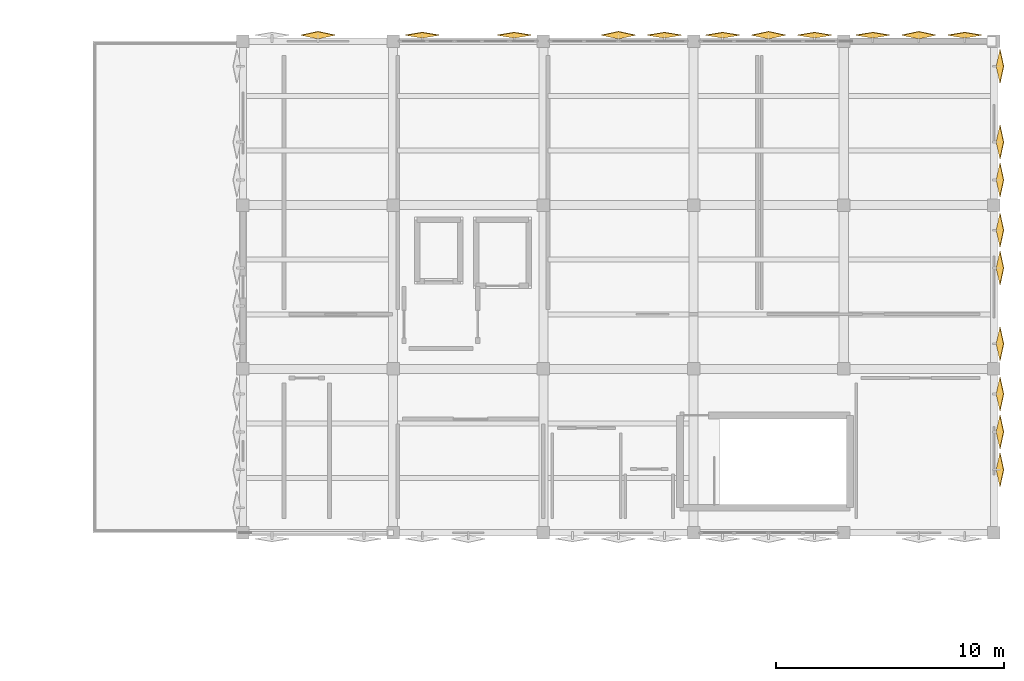
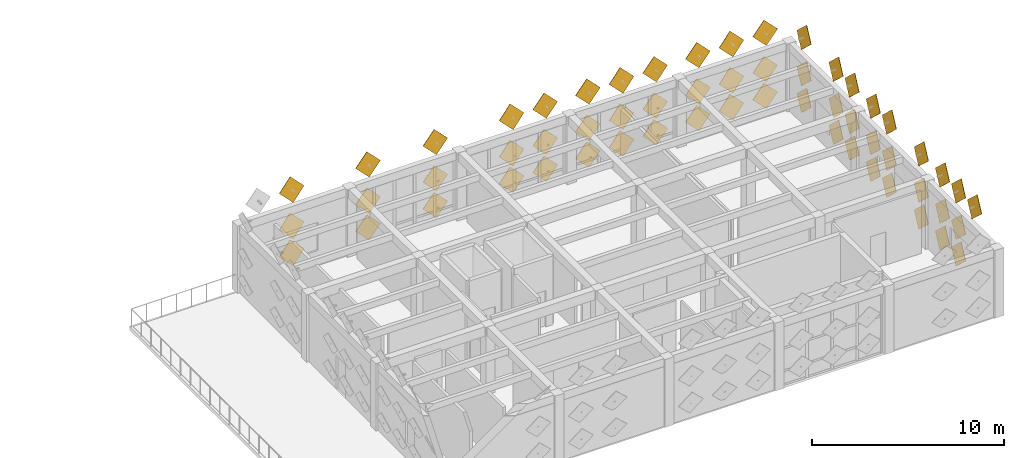
# One storey, part 29 of 29: 58 coverings.
"""IFC4 building model written with IfcOpenShell, lengths in metres."""

import ifcopenshell
import ifcopenshell.guid

model = None  # the IFC model being written
_history = None  # IfcOwnerHistory: only IFC2X3 demands one
_inside = {}  # id of a spatial element -> (the spatial element, [elements in it])
_under = {}  # id of a project, library or spatial element -> (it, [spatial elements below it])
_declared = {}  # id of a project -> (the project, [libraries it declares])
_typed = {}  # id of a type object -> (the type object, [elements of that type])
_made_of = {}  # id of a material, layer set ... -> (it, [elements and type objects made of it])


def new_model(schema):
    """Start an empty IFC model of exactly this schema.

    Asked for "IFC4X3", IfcOpenShell would pick the latest addendum, in which some entities
    have other attributes; the version numbers below select the first issue.
    IFC2X3 requires an IfcOwnerHistory on every rooted entity: one is made here for all.
    """
    global model, _history
    if schema == "IFC4X3":
        model = ifcopenshell.file(schema_version=(4, 3, 0, 0))
    else:
        model = ifcopenshell.file(schema=schema)
    _inside.clear()
    _under.clear()
    _declared.clear()
    _typed.clear()
    _made_of.clear()
    _history = None
    if model.schema == "IFC2X3":
        org = make("IfcOrganization", Name="unknown")
        user = make(
            "IfcPersonAndOrganization",
            ThePerson=make("IfcPerson", FamilyName="unknown"),
            TheOrganization=org,
        )
        app = make(
            "IfcApplication",
            ApplicationDeveloper=org,
            Version="unknown",
            ApplicationFullName="unknown",
            ApplicationIdentifier="unknown",
        )
        _history = make(
            "IfcOwnerHistory",
            OwningUser=user,
            OwningApplication=app,
            ChangeAction="ADDED",
            CreationDate=0,
        )
    return model


def make(cls, **values):
    """One entity of the class cls with the attributes given. An attribute that is None is left unset."""
    return model.create_entity(
        cls, **{name: value for name, value in values.items() if value is not None}
    )


def rooted(cls, **values):
    """An entity with a GlobalId (a new one), such as an element, a storey or a relation."""
    return make(cls, GlobalId=ifcopenshell.guid.new(), OwnerHistory=_history, **values)


def si_unit(unit_type, name, prefix=None):
    """IfcSIUnit, for example si_unit("LENGTHUNIT", "METRE", prefix="MILLI")."""
    return make("IfcSIUnit", UnitType=unit_type, Prefix=prefix, Name=name)


def assignment(units):
    """IfcUnitAssignment: the units of a project."""
    return None if units is None else make("IfcUnitAssignment", Units=units)


def point(xyz):
    """IfcCartesianPoint."""
    return None if xyz is None else make("IfcCartesianPoint", Coordinates=xyz)


def direction(xyz):
    """IfcDirection."""
    return None if xyz is None else make("IfcDirection", DirectionRatios=xyz)


def frame(location, z_axis=None, x_axis=None):
    """IfcAxis2Placement3D, a coordinate frame: its origin and axes. An axis left out is left unset."""
    return make(
        "IfcAxis2Placement3D",
        Location=point(location),
        Axis=direction(z_axis),
        RefDirection=direction(x_axis),
    )


def origin():
    """The frame at (0, 0, 0) with its axes left unset."""
    return frame((0.0, 0.0, 0.0))


def place(relative_to, where):
    """IfcLocalPlacement: puts the frame where relative to a parent placement (None: the world)."""
    return make(
        "IfcLocalPlacement", PlacementRelTo=relative_to, RelativePlacement=where
    )


def context(
    kind, dimensions, precision=None, world=None, true_north=None, identifier=None
):
    """IfcGeometricRepresentationContext, for example the 3D "Model" context."""
    return make(
        "IfcGeometricRepresentationContext",
        ContextIdentifier=identifier,
        ContextType=kind,
        CoordinateSpaceDimension=dimensions,
        Precision=precision,
        WorldCoordinateSystem=world,
        TrueNorth=true_north,
    )


def subcontext(parent, identifier, kind, view, scale=None):
    """IfcGeometricRepresentationSubContext, for example "Body" below "Model"."""
    return make(
        "IfcGeometricRepresentationSubContext",
        ContextIdentifier=identifier,
        ContextType=kind,
        ParentContext=parent,
        TargetScale=scale,
        TargetView=view,
    )


def project(units=None, contexts=None):
    """IfcProject with its units and contexts."""
    return rooted(
        "IfcProject",
        Name="project",
        RepresentationContexts=contexts,
        UnitsInContext=assignment(units),
    )


def spatial(cls, under=None, at=None, **own):
    """A site, building, storey or space (cls), placed at a placement, below another one or the project."""
    s = rooted(cls, ObjectPlacement=at, **own)
    if under is not None:
        _under.setdefault(under.id(), (under, []))[1].append(s)
    return s


def polyline(points):
    """IfcPolyline through the points."""
    return make("IfcPolyline", Points=[point(p) for p in points])


def outline(outer, holes=None, kind="AREA"):
    """IfcArbitraryClosedProfileDef: a profile drawn as a closed curve; with holes, ...WithVoids."""
    if holes is None:
        return make("IfcArbitraryClosedProfileDef", ProfileType=kind, OuterCurve=outer)
    return make(
        "IfcArbitraryProfileDefWithVoids",
        ProfileType=kind,
        OuterCurve=outer,
        InnerCurves=holes,
    )


def extrude(swept, where, along, depth):
    """IfcExtrudedAreaSolid: the profile swept, set in the frame where, extruded along a direction by depth."""
    return make(
        "IfcExtrudedAreaSolid",
        SweptArea=swept,
        Position=where,
        ExtrudedDirection=direction(along),
        Depth=depth,
    )


def shape(context_of_items, identifier, shape_type, items):
    """IfcShapeRepresentation: the items that make up one representation, for example the "Body"."""
    return make(
        "IfcShapeRepresentation",
        ContextOfItems=context_of_items,
        RepresentationIdentifier=identifier,
        RepresentationType=shape_type,
        Items=items,
    )


def material(Name=None, Category=None):
    """IfcMaterial."""
    return make("IfcMaterial", Name=Name, Category=Category)


def made_of(thing, what):
    """Note that an element or type object is made of a material, layer set ...; save() writes the relation."""
    if what is not None:
        _made_of.setdefault(what.id(), (what, []))[1].append(thing)
    return thing


def type_object(cls, material=None, **own):
    """A type object (cls), such as IfcWallType, which elements share."""
    return made_of(rooted(cls, **own), material)


def element(
    cls,
    number,
    at=None,
    inside=None,
    cuts=None,
    type_object=None,
    material=None,
    context=None,
    identifier="Body",
    shape_type=None,
    held_by="IfcProductDefinitionShape",
    body=None,
    shapes=None,
    **own,
):
    """One element of the class cls, such as IfcWall. Its Tag is "e" and its number.

    at: its placement. inside: the storey or other place that contains it. cuts: it is an
    opening in that element (IfcRelVoidsElement). A single representation is given by context,
    identifier, shape_type and body (its items); several are given by shapes. held_by: the class
    of the entity that holds the representations. save() writes the other relations.
    """
    e = rooted(cls, Tag="e%d" % number, ObjectPlacement=at, **own)
    if body is not None:
        shapes = [shape(context, identifier, shape_type, body)]
    if shapes is not None:
        e.Representation = make(held_by, Representations=shapes)
    if inside is not None:
        _inside.setdefault(inside.id(), (inside, []))[1].append(e)
    if cuts is not None:
        rooted(
            "IfcRelVoidsElement", RelatingBuildingElement=cuts, RelatedOpeningElement=e
        )
    if type_object is not None:
        _typed.setdefault(type_object.id(), (type_object, []))[1].append(e)
    return made_of(e, material)


def aggregate(whole, parts):
    """IfcRelAggregates: a whole, such as a stair, and the parts it consists of."""
    return rooted("IfcRelAggregates", RelatingObject=whole, RelatedObjects=parts)


def save(model, path):
    """Write the relations noted so far, then the file.

    IfcRelAggregates (storeys below a building ...), IfcRelContainedInSpatialStructure (elements
    in a storey), IfcRelDefinesByType, IfcRelAssociatesMaterial and IfcRelDeclares: one each for
    every whole, place, type object, material and project.
    """
    for whole, parts in _under.values():
        aggregate(whole, parts)
    for where, things in _inside.values():
        rooted(
            "IfcRelContainedInSpatialStructure",
            RelatedElements=things,
            RelatingStructure=where,
        )
    for kind, things in _typed.values():
        rooted("IfcRelDefinesByType", RelatedObjects=things, RelatingType=kind)
    for what, things in _made_of.values():
        rooted("IfcRelAssociatesMaterial", RelatedObjects=things, RelatingMaterial=what)
    for by, libraries in _declared.values():
        rooted("IfcRelDeclares", RelatingContext=by, RelatedDefinitions=libraries)
    model.write(path)


model = new_model("IFC4")

# Units and contexts
model_context = context("Model", 3, precision=1e-05, world=origin(), true_north=direction((0.0, 1.0)))
body_context = subcontext(model_context, "Body", "Model", "MODEL_VIEW")
ifc_project = project(units=[si_unit("LENGTHUNIT", "METRE"), si_unit("AREAUNIT", "SQUARE_METRE"), si_unit("VOLUMEUNIT", "CUBIC_METRE"), si_unit("PLANEANGLEUNIT", "RADIAN"), si_unit("MASSUNIT", "GRAM", prefix="KILO")], contexts=[model_context])

# Site, building, storey
site_placement = place(None, origin())
site = spatial("IfcSite", under=ifc_project, at=site_placement, CompositionType="ELEMENT")
building_placement = place(site_placement, origin())
building = spatial("IfcBuilding", under=site, at=building_placement, Name="Kharisveld Research Institute", CompositionType="ELEMENT")
storey_placement = place(building_placement, frame((0.0, 0.0, 32.10009765625)))
storey = spatial("IfcBuildingStorey", under=building, at=storey_placement, Name="L07", CompositionType="ELEMENT", Elevation=32.10009765625)

# Coverings
ifc_material = material(Name="White Powder-Coated Perforated Aluminium", Category="aluminium")
covering_type = type_object("IfcCoveringType", Name="CV_DIA_105", PredefinedType="CLADDING")
for number, where, z_axis, x_axis, name in (
    (1, (131.10009765625, 60.8994140625, 0.324951171875), (0.0, -0.97631069788, 0.216373337556), (0.707102116981, 0.153000063457, 0.6903604687), "SHD:V2:L07:N2:S1C0"),
    (2, (131.10009765625, 60.8994140625, 2.025146484375), (0.0, -0.97631069788, 0.216373337556), (0.707102116981, 0.153000063457, 0.6903604687), "SHD:V2:L07:N2:S1C1"),
    (3, (131.10009765625, 60.8994140625, 4.324951171875), (0.0, -0.97631069788, 0.216373337556), (0.707102116981, 0.153000063457, 0.6903604687), "SHD:V2:L07:N2:S1C2"),
):
    element("IfcCovering", number, at=place(storey_placement, frame(where, z_axis=z_axis, x_axis=x_axis)), inside=storey, type_object=covering_type, material=ifc_material, Name=name, PredefinedType="CLADDING", context=body_context, shape_type="SweptSolid", body=[
        extrude(outline(polyline([(0.0, 0.0), (1.0499638210603182, 0.0), (1.0499776725217052, 1.0499638209689517), (-0.00015878089139154117, 1.050136455599167), (0.0, 0.0)])), origin(), (0.0, 0.0, -1.0), 0.02392578125),
    ])
covering_1_placement = place(storey_placement, frame((135.679931640625, 60.9375, 0.317626953125), z_axis=(0.0, -0.986282612269, 0.165065468031), x_axis=(0.707138821552, 0.116713622787, 0.697375521014)))
element("IfcCovering", 4, at=covering_1_placement, inside=storey, type_object=covering_type, material=ifc_material, Name="SHD:V2:L07:N3:S0C0", PredefinedType="CLADDING", context=body_context, shape_type="SweptSolid", body=[
    extrude(outline(polyline([(0.0, 0.0), (1.049909321899567, 0.0), (1.0499844306250534, 1.0500795907141018), (-9.51489700736774e-05, 1.049909317588087), (0.0, 0.0)])), origin(), (0.0, 0.0, -1.0), 0.02392578125),
])
covering_2_placement = place(storey_placement, frame((135.679931640625, 60.9375, 2.017578125), z_axis=(0.0, -0.986282612269, 0.165065468031), x_axis=(0.707024158255, 0.116732548384, 0.697488603341)))
element("IfcCovering", 5, at=covering_2_placement, inside=storey, type_object=covering_type, material=ifc_material, Name="SHD:V2:L07:N3:S0C1", PredefinedType="CLADDING", context=body_context, shape_type="SweptSolid", body=[
    extrude(outline(polyline([(0.0, 0.0), (1.0500795934002414, -1.1102230246251565e-16), (1.0501546899467695, 1.0499093192138629), (0.0002453818500782745, 1.0500795647299133), (0.0, 0.0)])), origin(), (0.0, 0.0, -1.0), 0.02392578125),
])
for number, where, z_axis, x_axis, name in (
    (6, (135.679931640625, 60.9375, 4.317626953125), (0.0, -0.986282612269, 0.165065468031), (0.707138821552, 0.116713622787, 0.697375521014), "SHD:V2:L07:N3:S0C2"),
    (7, (139.719970703125, 60.9375, 0.317626953125), (0.0, -0.986282612269, 0.165065468031), (0.707138821552, 0.116713622787, 0.697375521014), "SHD:V2:L07:N3:S2C0"),
):
    element("IfcCovering", number, at=place(storey_placement, frame(where, z_axis=z_axis, x_axis=x_axis)), inside=storey, type_object=covering_type, material=ifc_material, Name=name, PredefinedType="CLADDING", context=body_context, shape_type="SweptSolid", body=[
        extrude(outline(polyline([(0.0, 0.0), (1.049909321899567, 0.0), (1.0499844306250534, 1.0500795907141018), (-9.51489700736774e-05, 1.049909317588087), (0.0, 0.0)])), origin(), (0.0, 0.0, -1.0), 0.02392578125),
    ])
covering_3_placement = place(storey_placement, frame((139.719970703125, 60.9375, 2.017578125), z_axis=(0.0, -0.986282612269, 0.165065468031), x_axis=(0.707024158255, 0.116732548384, 0.697488603341)))
element("IfcCovering", 8, at=covering_3_placement, inside=storey, type_object=covering_type, material=ifc_material, Name="SHD:V2:L07:N3:S2C1", PredefinedType="CLADDING", context=body_context, shape_type="SweptSolid", body=[
    extrude(outline(polyline([(0.0, 0.0), (1.0500795934002414, -1.1102230246251565e-16), (1.0501546899467695, 1.0499093192138629), (0.0002453818500782745, 1.0500795647299133), (0.0, 0.0)])), origin(), (0.0, 0.0, -1.0), 0.02392578125),
])
covering_4_placement = place(storey_placement, frame((139.719970703125, 60.9375, 4.317626953125), z_axis=(0.0, -0.986282612269, 0.165065468031), x_axis=(0.707138821552, 0.116713622787, 0.697375521014)))
element("IfcCovering", 9, at=covering_4_placement, inside=storey, type_object=covering_type, material=ifc_material, Name="SHD:V2:L07:N3:S2C2", PredefinedType="CLADDING", context=body_context, shape_type="SweptSolid", body=[
    extrude(outline(polyline([(0.0, 0.0), (1.049909321899567, 0.0), (1.0499844306250534, 1.0500795907141018), (-9.51489700736774e-05, 1.049909317588087), (0.0, 0.0)])), origin(), (0.0, 0.0, -1.0), 0.02392578125),
])
for number, where, z_axis, x_axis, name in (
    (10, (144.300048828125, 60.8994140625, 0.324951171875), (0.0, -0.97631069788, 0.216373337556), (0.707102116981, 0.153000063457, 0.6903604687), "SHD:V2:L07:N4:S1C0"),
    (11, (144.300048828125, 60.8994140625, 2.025146484375), (0.0, -0.97631069788, 0.216373337556), (0.707102116981, 0.153000063457, 0.6903604687), "SHD:V2:L07:N4:S1C1"),
    (12, (144.300048828125, 60.8994140625, 4.324951171875), (0.0, -0.97631069788, 0.216373337556), (0.707102116981, 0.153000063457, 0.6903604687), "SHD:V2:L07:N4:S1C2"),
):
    element("IfcCovering", number, at=place(storey_placement, frame(where, z_axis=z_axis, x_axis=x_axis)), inside=storey, type_object=covering_type, material=ifc_material, Name=name, PredefinedType="CLADDING", context=body_context, shape_type="SweptSolid", body=[
        extrude(outline(polyline([(0.0, 0.0), (1.0499638210603182, 0.0), (1.0499776725217052, 1.0499638209689517), (1.3851461386993336e-05, 1.0499638209689517), (0.0, 0.0)])), origin(), (0.0, 0.0, -1.0), 0.02392578125),
    ])
covering_5_placement = place(storey_placement, frame((146.320068359375, 60.9375, 0.317626953125), z_axis=(0.0, -0.986282612269, 0.165065468031), x_axis=(0.707138821552, 0.116713622787, 0.697375521014)))
element("IfcCovering", 13, at=covering_5_placement, inside=storey, type_object=covering_type, material=ifc_material, Name="SHD:V2:L07:N4:S2C0", PredefinedType="CLADDING", context=body_context, shape_type="SweptSolid", body=[
    extrude(outline(polyline([(0.0, 0.0), (1.049909321899567, 0.0), (1.0499844306250534, 1.0500795907141018), (-9.51489700736774e-05, 1.049909317588087), (0.0, 0.0)])), origin(), (0.0, 0.0, -1.0), 0.02392578125),
])
covering_6_placement = place(storey_placement, frame((146.320068359375, 60.9375, 2.017578125), z_axis=(0.0, -0.986282612269, 0.165065468031), x_axis=(0.707024158255, 0.116732548384, 0.697488603341)))
element("IfcCovering", 14, at=covering_6_placement, inside=storey, type_object=covering_type, material=ifc_material, Name="SHD:V2:L07:N4:S2C1", PredefinedType="CLADDING", context=body_context, shape_type="SweptSolid", body=[
    extrude(outline(polyline([(0.0, 0.0), (1.0500795934002414, -1.1102230246251565e-16), (1.0501546899467695, 1.0499093192138629), (0.0002453818500782745, 1.0500795647299133), (0.0, 0.0)])), origin(), (0.0, 0.0, -1.0), 0.02392578125),
])
covering_7_placement = place(storey_placement, frame((146.320068359375, 60.9375, 4.317626953125), z_axis=(0.0, -0.986282612269, 0.165065468031), x_axis=(0.707138821552, 0.116713622787, 0.697375521014)))
element("IfcCovering", 15, at=covering_7_placement, inside=storey, type_object=covering_type, material=ifc_material, Name="SHD:V2:L07:N4:S2C2", PredefinedType="CLADDING", context=body_context, shape_type="SweptSolid", body=[
    extrude(outline(polyline([(0.0, 0.0), (1.049909321899567, 0.0), (1.0499844306250534, 1.0500795907141018), (-9.51489700736774e-05, 1.049909317588087), (0.0, 0.0)])), origin(), (0.0, 0.0, -1.0), 0.02392578125),
])
covering_8_placement = place(storey_placement, frame((148.8798828125, 60.9375, 0.317626953125), z_axis=(0.0, -0.986282612269, 0.165065468031), x_axis=(0.707255049827, 0.116694432619, 0.69726085785)))
element("IfcCovering", 16, at=covering_8_placement, inside=storey, type_object=covering_type, material=ifc_material, Name="SHD:V2:L07:N5:S0C0", PredefinedType="CLADDING", context=body_context, shape_type="SweptSolid", body=[
    extrude(outline(polyline([(0.0, 0.0), (1.0500819774026109, 1.1102230246251565e-16), (1.0498117911607456, 1.050252186157772), (-0.00026774625358971793, 1.0499092877594485), (0.0, 0.0)])), origin(), (0.0, 0.0, -1.0), 0.02392578125),
])
covering_9_placement = place(storey_placement, frame((148.8798828125, 60.9375, 2.017578125), z_axis=(0.0, -0.986282612269, 0.165065468031), x_axis=(0.707140405383, 0.116713361327, 0.697373958764)))
element("IfcCovering", 17, at=covering_9_placement, inside=storey, type_object=covering_type, material=ifc_material, Name="SHD:V2:L07:N5:S0C1", PredefinedType="CLADDING", context=body_context, shape_type="SweptSolid", body=[
    extrude(outline(polyline([(0.0, 0.0), (1.0502522209116176, -1.1102230246251565e-16), (1.049982078466331, 1.0500819426543992), (7.275656939786934e-05, 1.0500795908797094), (0.0, 0.0)])), origin(), (0.0, 0.0, -1.0), 0.02392578125),
])
covering_10_placement = place(storey_placement, frame((148.8798828125, 60.9375, 4.317626953125), z_axis=(0.0, -0.986282612269, 0.165065468031), x_axis=(0.707255049827, 0.116694432619, 0.69726085785)))
element("IfcCovering", 18, at=covering_10_placement, inside=storey, type_object=covering_type, material=ifc_material, Name="SHD:V2:L07:N5:S0C2", PredefinedType="CLADDING", context=body_context, shape_type="SweptSolid", body=[
    extrude(outline(polyline([(0.0, 0.0), (1.0500819774026109, 1.1102230246251565e-16), (1.0498117911607456, 1.050252186157772), (-0.00026774625358971793, 1.0499092877594485), (0.0, 0.0)])), origin(), (0.0, 0.0, -1.0), 0.02392578125),
])
for number, where, z_axis, x_axis, name in (
    (19, (150.89990234375, 60.8994140625, 0.324951171875), (0.0, -0.97631069788, 0.216373337556), (0.707218351292, 0.152974909648, 0.690246970738), "SHD:V2:L07:N5:S1C0"),
    (20, (150.89990234375, 60.8994140625, 2.025146484375), (0.0, -0.97631069788, 0.216373337556), (0.707218351292, 0.152974909648, 0.690246970738), "SHD:V2:L07:N5:S1C1"),
    (21, (150.89990234375, 60.8994140625, 4.324951171875), (0.0, -0.97631069788, 0.216373337556), (0.707218351292, 0.152974909648, 0.690246970738), "SHD:V2:L07:N5:S1C2"),
):
    element("IfcCovering", number, at=place(storey_placement, frame(where, z_axis=z_axis, x_axis=x_axis)), inside=storey, type_object=covering_type, material=ifc_material, Name=name, PredefinedType="CLADDING", context=body_context, shape_type="SweptSolid", body=[
        extrude(outline(polyline([(0.0, 0.0), (1.0501364676030216, 1.1102230246251565e-16), (1.0498050520855338, 1.0501364153068435), (-0.00015875478719196146, 1.0499638090584367), (0.0, 0.0)])), origin(), (0.0, 0.0, -1.0), 0.02392578125),
    ])
covering_11_placement = place(storey_placement, frame((152.919921875, 60.9375, 0.317626953125), z_axis=(0.0, -0.986282612269, 0.165065468031), x_axis=(0.707138821552, 0.116713622787, 0.697375521014)))
element("IfcCovering", 22, at=covering_11_placement, inside=storey, type_object=covering_type, material=ifc_material, Name="SHD:V2:L07:N5:S2C0", PredefinedType="CLADDING", context=body_context, shape_type="SweptSolid", body=[
    extrude(outline(polyline([(0.0, 0.0), (1.049909321899567, 0.0), (1.0499844306250534, 1.0500795907141018), (-9.51489700736774e-05, 1.049909317588087), (0.0, 0.0)])), origin(), (0.0, 0.0, -1.0), 0.02392578125),
])
covering_12_placement = place(storey_placement, frame((152.919921875, 60.9375, 2.017578125), z_axis=(0.0, -0.986282612269, 0.165065468031), x_axis=(0.707024158255, 0.116732548384, 0.697488603341)))
element("IfcCovering", 23, at=covering_12_placement, inside=storey, type_object=covering_type, material=ifc_material, Name="SHD:V2:L07:N5:S2C1", PredefinedType="CLADDING", context=body_context, shape_type="SweptSolid", body=[
    extrude(outline(polyline([(0.0, 0.0), (1.0500795934002414, -1.1102230246251565e-16), (1.0501546899467695, 1.0499093192138629), (0.0002453818500782745, 1.0500795647299133), (0.0, 0.0)])), origin(), (0.0, 0.0, -1.0), 0.02392578125),
])
for number, where, z_axis, x_axis, name in (
    (24, (152.919921875, 60.9375, 4.317626953125), (0.0, -0.986282612269, 0.165065468031), (0.707138821552, 0.116713622787, 0.697375521014), "SHD:V2:L07:N5:S2C2"),
    (25, (155.47998046875, 60.9375, 0.317626953125), (0.0, -0.986282612269, 0.165065468031), (0.707138821552, 0.116713622787, 0.697375521014), "SHD:V2:L07:N6:S0C0"),
):
    element("IfcCovering", number, at=place(storey_placement, frame(where, z_axis=z_axis, x_axis=x_axis)), inside=storey, type_object=covering_type, material=ifc_material, Name=name, PredefinedType="CLADDING", context=body_context, shape_type="SweptSolid", body=[
        extrude(outline(polyline([(0.0, 0.0), (1.049909321899567, 0.0), (1.0499844306250534, 1.0500795907141018), (-9.51489700736774e-05, 1.049909317588087), (0.0, 0.0)])), origin(), (0.0, 0.0, -1.0), 0.02392578125),
    ])
covering_13_placement = place(storey_placement, frame((155.47998046875, 60.9375, 2.017578125), z_axis=(0.0, -0.986282612269, 0.165065468031), x_axis=(0.707024158255, 0.116732548384, 0.697488603341)))
element("IfcCovering", 26, at=covering_13_placement, inside=storey, type_object=covering_type, material=ifc_material, Name="SHD:V2:L07:N6:S0C1", PredefinedType="CLADDING", context=body_context, shape_type="SweptSolid", body=[
    extrude(outline(polyline([(0.0, 0.0), (1.0500795934002414, -1.1102230246251565e-16), (1.0501546899467695, 1.0499093192138629), (0.0002453818500782745, 1.0500795647299133), (0.0, 0.0)])), origin(), (0.0, 0.0, -1.0), 0.02392578125),
])
covering_14_placement = place(storey_placement, frame((155.47998046875, 60.9375, 4.317626953125), z_axis=(0.0, -0.986282612269, 0.165065468031), x_axis=(0.707138821552, 0.116713622787, 0.697375521014)))
element("IfcCovering", 27, at=covering_14_placement, inside=storey, type_object=covering_type, material=ifc_material, Name="SHD:V2:L07:N6:S0C2", PredefinedType="CLADDING", context=body_context, shape_type="SweptSolid", body=[
    extrude(outline(polyline([(0.0, 0.0), (1.049909321899567, 0.0), (1.0499844306250534, 1.0500795907141018), (-9.51489700736774e-05, 1.049909317588087), (0.0, 0.0)])), origin(), (0.0, 0.0, -1.0), 0.02392578125),
])
for number, where, z_axis, x_axis, name in (
    (28, (157.5, 60.8994140625, 0.324951171875), (0.0, -0.97631069788, 0.216373337556), (0.707102116981, 0.153000063457, 0.6903604687), "SHD:V2:L07:N6:S1C0"),
    (29, (157.5, 60.8994140625, 2.025146484375), (0.0, -0.97631069788, 0.216373337556), (0.707102116981, 0.153000063457, 0.6903604687), "SHD:V2:L07:N6:S1C1"),
    (30, (157.5, 60.8994140625, 4.324951171875), (0.0, -0.97631069788, 0.216373337556), (0.707102116981, 0.153000063457, 0.6903604687), "SHD:V2:L07:N6:S1C2"),
):
    element("IfcCovering", number, at=place(storey_placement, frame(where, z_axis=z_axis, x_axis=x_axis)), inside=storey, type_object=covering_type, material=ifc_material, Name=name, PredefinedType="CLADDING", context=body_context, shape_type="SweptSolid", body=[
        extrude(outline(polyline([(0.0, 0.0), (1.0499638210603182, 0.0), (1.0499776725217052, 1.0499638209689517), (1.3851461386993336e-05, 1.0499638209689517), (0.0, 0.0)])), origin(), (0.0, 0.0, -1.0), 0.02392578125),
    ])
covering_15_placement = place(storey_placement, frame((159.52001953125, 60.9375, 0.317626953125), z_axis=(0.0, -0.986282612269, 0.165065468031), x_axis=(0.707138821552, 0.116713622787, 0.697375521014)))
element("IfcCovering", 31, at=covering_15_placement, inside=storey, type_object=covering_type, material=ifc_material, Name="SHD:V2:L07:N6:S2C0", PredefinedType="CLADDING", context=body_context, shape_type="SweptSolid", body=[
    extrude(outline(polyline([(0.0, 0.0), (1.049909321899567, 0.0), (1.0499844306250534, 1.0500795907141018), (-9.51489700736774e-05, 1.049909317588087), (0.0, 0.0)])), origin(), (0.0, 0.0, -1.0), 0.02392578125),
])
covering_16_placement = place(storey_placement, frame((159.52001953125, 60.9375, 2.017578125), z_axis=(0.0, -0.986282612269, 0.165065468031), x_axis=(0.707024158255, 0.116732548384, 0.697488603341)))
element("IfcCovering", 32, at=covering_16_placement, inside=storey, type_object=covering_type, material=ifc_material, Name="SHD:V2:L07:N6:S2C1", PredefinedType="CLADDING", context=body_context, shape_type="SweptSolid", body=[
    extrude(outline(polyline([(0.0, 0.0), (1.0500795934002414, -1.1102230246251565e-16), (1.0501546899467695, 1.0499093192138629), (0.0002453818500782745, 1.0500795647299133), (0.0, 0.0)])), origin(), (0.0, 0.0, -1.0), 0.02392578125),
])
covering_17_placement = place(storey_placement, frame((159.52001953125, 60.9375, 4.317626953125), z_axis=(0.0, -0.986282612269, 0.165065468031), x_axis=(0.707138821552, 0.116713622787, 0.697375521014)))
element("IfcCovering", 33, at=covering_17_placement, inside=storey, type_object=covering_type, material=ifc_material, Name="SHD:V2:L07:N6:S2C2", PredefinedType="CLADDING", context=body_context, shape_type="SweptSolid", body=[
    extrude(outline(polyline([(0.0, 0.0), (1.049909321899567, 0.0), (1.0499844306250534, 1.0500795907141018), (-9.51489700736774e-05, 1.049909317588087), (0.0, 0.0)])), origin(), (0.0, 0.0, -1.0), 0.02392578125),
])
for number, where, z_axis, x_axis, name in (
    (34, (160.8994140625, 59.697509765625, 0.324951171875), (-0.97631069788, 0.0, 0.216373337556), (0.153000063457, -0.707102116981, 0.6903604687), "SHD:V2:L07:E3:S0C0"),
    (35, (160.8994140625, 59.697509765625, 2.025146484375), (-0.97631069788, 0.0, 0.216373337556), (0.153000063457, -0.707102116981, 0.6903604687), "SHD:V2:L07:E3:S0C1"),
    (36, (160.8994140625, 59.697509765625, 4.324951171875), (-0.97631069788, 0.0, 0.216373337556), (0.153000063457, -0.707102116981, 0.6903604687), "SHD:V2:L07:E3:S0C2"),
    (37, (160.8994140625, 56.367431640625, 0.324951171875), (-0.97631069788, 0.0, 0.216373337556), (0.153000063457, -0.707102116981, 0.6903604687), "SHD:V2:L07:E3:S2C0"),
    (38, (160.8994140625, 56.367431640625, 2.025146484375), (-0.97631069788, 0.0, 0.216373337556), (0.153000063457, -0.707102116981, 0.6903604687), "SHD:V2:L07:E3:S2C1"),
    (39, (160.8994140625, 56.367431640625, 4.324951171875), (-0.97631069788, 0.0, 0.216373337556), (0.153000063457, -0.707102116981, 0.6903604687), "SHD:V2:L07:E3:S2C2"),
):
    element("IfcCovering", number, at=place(storey_placement, frame(where, z_axis=z_axis, x_axis=x_axis)), inside=storey, type_object=covering_type, material=ifc_material, Name=name, PredefinedType="CLADDING", context=body_context, shape_type="SweptSolid", body=[
        extrude(outline(polyline([(0.0, 0.0), (1.0499638210603182, 0.0), (1.0499776725217052, 1.0499638209689517), (1.3851461386993336e-05, 1.0499638209689517), (0.0, 0.0)])), origin(), (0.0, 0.0, -1.0), 0.02392578125),
    ])
for number, where, z_axis, x_axis, name in (
    (40, (160.8994140625, 54.702392578125, 0.324951171875), (-0.97631069788, 0.0, 0.216373337556), (0.153000063457, -0.707102116981, 0.6903604687), "SHD:V2:L07:E3:S3C0"),
    (41, (160.8994140625, 54.702392578125, 2.025146484375), (-0.97631069788, 0.0, 0.216373337556), (0.153000063457, -0.707102116981, 0.6903604687), "SHD:V2:L07:E3:S3C1"),
    (42, (160.8994140625, 54.702392578125, 4.324951171875), (-0.97631069788, 0.0, 0.216373337556), (0.153000063457, -0.707102116981, 0.6903604687), "SHD:V2:L07:E3:S3C2"),
):
    element("IfcCovering", number, at=place(storey_placement, frame(where, z_axis=z_axis, x_axis=x_axis)), inside=storey, type_object=covering_type, material=ifc_material, Name=name, PredefinedType="CLADDING", context=body_context, shape_type="SweptSolid", body=[
        extrude(outline(polyline([(0.0, 0.0), (1.0499638210603182, 0.0), (1.0499776725217052, 1.0499638209689517), (-0.00015878089139154117, 1.050136455599167), (0.0, 0.0)])), origin(), (0.0, 0.0, -1.0), 0.02392578125),
    ])
for number, where, z_axis, x_axis, name in (
    (43, (160.8994140625, 52.49755859375, 0.324951171875), (-0.97631069788, 0.0, 0.216373337556), (0.153000063457, -0.707102116981, 0.6903604687), "SHD:V2:L07:E2:S0C0"),
    (44, (160.8994140625, 52.49755859375, 2.025146484375), (-0.97631069788, 0.0, 0.216373337556), (0.153000063457, -0.707102116981, 0.6903604687), "SHD:V2:L07:E2:S0C1"),
    (45, (160.8994140625, 52.49755859375, 4.324951171875), (-0.97631069788, 0.0, 0.216373337556), (0.153000063457, -0.707102116981, 0.6903604687), "SHD:V2:L07:E2:S0C2"),
    (46, (160.8994140625, 50.83251953125, 0.324951171875), (-0.97631069788, 0.0, 0.216373337556), (0.153000063457, -0.707102116981, 0.6903604687), "SHD:V2:L07:E2:S1C0"),
    (47, (160.8994140625, 50.83251953125, 2.025146484375), (-0.97631069788, 0.0, 0.216373337556), (0.153000063457, -0.707102116981, 0.6903604687), "SHD:V2:L07:E2:S1C1"),
    (48, (160.8994140625, 50.83251953125, 4.324951171875), (-0.97631069788, 0.0, 0.216373337556), (0.153000063457, -0.707102116981, 0.6903604687), "SHD:V2:L07:E2:S1C2"),
    (49, (160.8994140625, 47.50244140625, 0.324951171875), (-0.97631069788, 0.0, 0.216373337556), (0.153000063457, -0.707102116981, 0.6903604687), "SHD:V2:L07:E2:S3C0"),
    (50, (160.8994140625, 47.50244140625, 2.025146484375), (-0.97631069788, 0.0, 0.216373337556), (0.153000063457, -0.707102116981, 0.6903604687), "SHD:V2:L07:E2:S3C1"),
    (51, (160.8994140625, 47.50244140625, 4.324951171875), (-0.97631069788, 0.0, 0.216373337556), (0.153000063457, -0.707102116981, 0.6903604687), "SHD:V2:L07:E2:S3C2"),
):
    element("IfcCovering", number, at=place(storey_placement, frame(where, z_axis=z_axis, x_axis=x_axis)), inside=storey, type_object=covering_type, material=ifc_material, Name=name, PredefinedType="CLADDING", context=body_context, shape_type="SweptSolid", body=[
        extrude(outline(polyline([(0.0, 0.0), (1.0499638210603182, 0.0), (1.0499776725217052, 1.0499638209689517), (1.3851461386993336e-05, 1.0499638209689517), (0.0, 0.0)])), origin(), (0.0, 0.0, -1.0), 0.02392578125),
    ])
for number, where, z_axis, x_axis, name in (
    (52, (160.8994140625, 45.297607421875, 0.324951171875), (-0.97631069788, 0.0, 0.216373337556), (0.152974909648, -0.707218351292, 0.690246970738), "SHD:V2:L07:E1:S0C0"),
    (53, (160.8994140625, 45.297607421875, 2.025146484375), (-0.97631069788, 0.0, 0.216373337556), (0.152974909648, -0.707218351292, 0.690246970738), "SHD:V2:L07:E1:S0C1"),
    (54, (160.8994140625, 45.297607421875, 4.324951171875), (-0.97631069788, 0.0, 0.216373337556), (0.152974909648, -0.707218351292, 0.690246970738), "SHD:V2:L07:E1:S0C2"),
):
    element("IfcCovering", number, at=place(storey_placement, frame(where, z_axis=z_axis, x_axis=x_axis)), inside=storey, type_object=covering_type, material=ifc_material, Name=name, PredefinedType="CLADDING", context=body_context, shape_type="SweptSolid", body=[
        extrude(outline(polyline([(0.0, 0.0), (1.0501364676030216, 1.1102230246251565e-16), (1.0498050520855338, 1.0501364153068435), (-0.00015875478719196146, 1.0499638090584367), (0.0, 0.0)])), origin(), (0.0, 0.0, -1.0), 0.02392578125),
    ])
for number, where, z_axis, x_axis, name in (
    (55, (160.8994140625, 43.632568359375, 0.324951171875), (-0.97631069788, 0.0, 0.216373337556), (0.153000063457, -0.707102116981, 0.6903604687), "SHD:V2:L07:E1:S1C0"),
    (56, (160.8994140625, 43.632568359375, 2.025146484375), (-0.97631069788, 0.0, 0.216373337556), (0.153000063457, -0.707102116981, 0.6903604687), "SHD:V2:L07:E1:S1C1"),
    (57, (160.8994140625, 43.632568359375, 4.324951171875), (-0.97631069788, 0.0, 0.216373337556), (0.153000063457, -0.707102116981, 0.6903604687), "SHD:V2:L07:E1:S1C2"),
    (58, (160.8994140625, 41.967529296875, 4.324951171875), (-0.97631069788, 0.0, 0.216373337556), (0.153000063457, -0.707102116981, 0.6903604687), "SHD:V2:L07:E1:S2C2"),
):
    element("IfcCovering", number, at=place(storey_placement, frame(where, z_axis=z_axis, x_axis=x_axis)), inside=storey, type_object=covering_type, material=ifc_material, Name=name, PredefinedType="CLADDING", context=body_context, shape_type="SweptSolid", body=[
        extrude(outline(polyline([(0.0, 0.0), (1.0499638210603182, 0.0), (1.0499776725217052, 1.0499638209689517), (1.3851461386993336e-05, 1.0499638209689517), (0.0, 0.0)])), origin(), (0.0, 0.0, -1.0), 0.02392578125),
    ])

save(model, "model.ifc")
